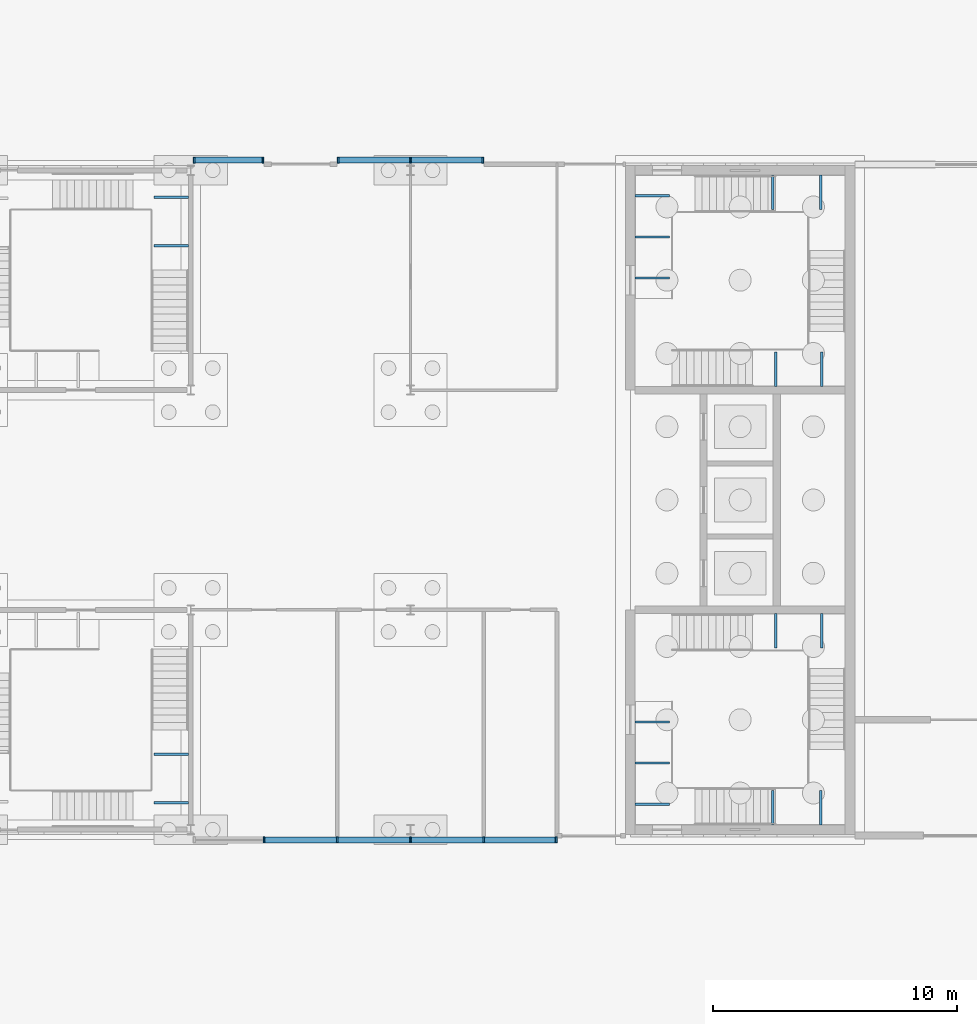
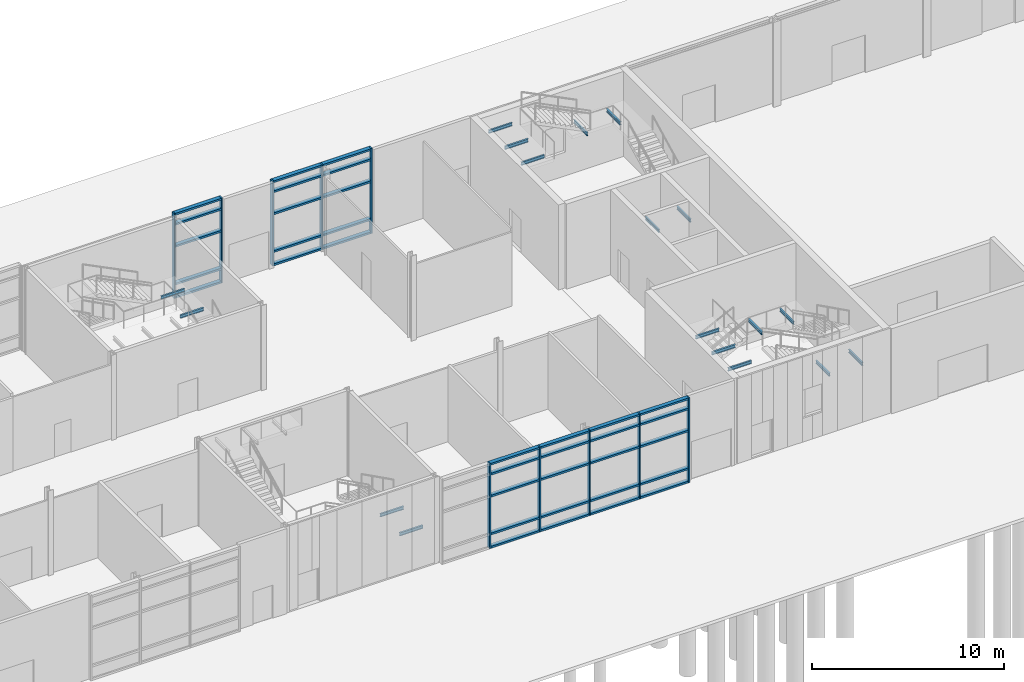
# One storey, part 14 of 45: 45 members, 18 beams, 3 elements without a shape of their own.
"""IFC4 building model written with IfcOpenShell, lengths in metres."""

from ifc_helpers import new_model, si_unit, direction, frame, origin, origin_2d, place, context, subcontext, project, spatial, rectangle, i_section, extrude, material, material_profile, profile_set, type_object, element, aggregate, save


model = new_model("IFC4")

# Units and contexts
model_context = context("Model", 3, precision=1e-05, world=origin(), true_north=direction((0.0, 1.0)))
body_context = subcontext(model_context, "Body", "Model", "MODEL_VIEW")
ifc_project = project(units=[si_unit("LENGTHUNIT", "METRE"), si_unit("AREAUNIT", "SQUARE_METRE"), si_unit("VOLUMEUNIT", "CUBIC_METRE"), si_unit("PLANEANGLEUNIT", "RADIAN"), si_unit("MASSUNIT", "GRAM", prefix="KILO")], contexts=[model_context])

# Site, building, storey
site_placement = place(None, origin())
site = spatial("IfcSite", under=ifc_project, at=site_placement, CompositionType="ELEMENT")
building_placement = place(site_placement, origin())
building = spatial("IfcBuilding", under=site, at=building_placement, Name="Azimuth Sports and Learning Centre", CompositionType="ELEMENT")
storey_placement = place(building_placement, origin())
storey = spatial("IfcBuildingStorey", under=building, at=storey_placement, Name="L00", CompositionType="ELEMENT", Elevation=0.0)

# Beams
ifc_material_1 = material(Name="Steel S355", Category="steel")
ifc_material_profile_1 = material_profile(ifc_material_1, i_section(OverallWidth=0.10009765625, OverallDepth=0.199951171875, WebThickness=0.005615234375, FlangeThickness=0.008544921875, FilletRadius=0.011962890625, at=origin_2d()), Name="IPE 200")
ifc_profile_set_1 = profile_set([ifc_material_profile_1], Name="Steel S355")
beam_type = type_object("IfcBeamType", Name="Beam IPE 200", PredefinedType="BEAM", material=ifc_profile_set_1)
for number, where, z_axis, x_axis, name in (
    (1, (59.95458984375, 98.85009765625, 1.5), (0.0, -1.0, 0.0), (1.0, 0.0, 0.0), "Landing bracket W1 L00 1"),
    (2, (61.8447265625, 98.85009765625, 1.5), (0.0, -1.0, 0.0), (1.0, 0.0, 0.0), "Landing bracket W1 L00 2"),
    (3, (59.827392578125, 90.199951171875, 3.300048828125), (0.0, 1.0, 0.0), (-1.0, 0.0, 0.0), "Landing bracket W1 L00 3"),
    (4, (61.802490234375, 90.199951171875, 3.300048828125), (0.0, 1.0, 0.0), (-1.0, 0.0, 0.0), "Landing bracket W1 L00 4"),
    (5, (54.199951171875, 91.050048828125, 5.10009765625), (1.0, 0.0, 0.0), (0.0, 1.0, 0.0), "Landing bracket W1 L00 5"),
    (6, (54.199951171875, 92.72998046875, 5.10009765625), (1.0, 0.0, 0.0), (0.0, 1.0, 0.0), "Landing bracket W1 L00 6"),
    (7, (54.199951171875, 94.409912109375, 5.10009765625), (1.0, 0.0, 0.0), (0.0, 1.0, 0.0), "Landing bracket W1 L00 7"),
    (8, (59.95458984375, 108.14990234375, 1.5), (0.0, 1.0, 0.0), (-1.0, 0.0, 0.0), "Landing bracket W2 L00 179"),
    (9, (61.8447265625, 108.14990234375, 1.5), (0.0, 1.0, 0.0), (-1.0, 0.0, 0.0), "Landing bracket W2 L00 180"),
    (10, (59.827392578125, 116.800048828125, 3.300048828125), (0.0, -1.0, 0.0), (1.0, 0.0, 0.0), "Landing bracket W2 L00 181"),
    (11, (61.802490234375, 116.800048828125, 3.300048828125), (0.0, -1.0, 0.0), (1.0, 0.0, 0.0), "Landing bracket W2 L00 182"),
    (12, (54.199951171875, 112.590087890625, 5.10009765625), (1.0, 0.0, 0.0), (0.0, 1.0, 0.0), "Landing bracket W2 L00 183"),
    (13, (54.199951171875, 114.27001953125, 5.10009765625), (1.0, 0.0, 0.0), (0.0, 1.0, 0.0), "Landing bracket W2 L00 184"),
    (14, (54.199951171875, 115.949951171875, 5.10009765625), (1.0, 0.0, 0.0), (0.0, 1.0, 0.0), "Landing bracket W2 L00 185"),
):
    element("IfcBeam", number, at=place(storey_placement, frame(where, z_axis=z_axis, x_axis=x_axis)), inside=storey, type_object=beam_type, Name=name, PredefinedType="BEAM", context=body_context, shape_type="SweptSolid", body=[
        extrude(i_section(OverallWidth=0.10009765625, OverallDepth=0.199951171875, WebThickness=0.005615234375, FlangeThickness=0.008544921875, FilletRadius=0.011962890625, at=origin_2d()), origin(), (0.0, 0.0, 1.0), 1.41015625),
    ])
for number, where, z_axis, x_axis, name in (
    (15, (35.89990234375, 91.105224609375, 1.5), (-1.0, 0.0, 0.0), (0.0, -1.0, 0.0), "Landing bracket WM1 L00 849"),
    (16, (35.89990234375, 93.095458984375, 1.5), (-1.0, 0.0, 0.0), (0.0, -1.0, 0.0), "Landing bracket WM1 L00 850"),
    (17, (35.89990234375, 113.904541015625, 1.5), (-1.0, 0.0, 0.0), (0.0, -1.0, 0.0), "Landing bracket WM2 L00 883"),
    (18, (35.89990234375, 115.894775390625, 1.5), (-1.0, 0.0, 0.0), (0.0, -1.0, 0.0), "Landing bracket WM2 L00 884"),
):
    element("IfcBeam", number, at=place(storey_placement, frame(where, z_axis=z_axis, x_axis=x_axis)), inside=storey, type_object=beam_type, Name=name, PredefinedType="BEAM", context=body_context, shape_type="SweptSolid", body=[
        extrude(i_section(OverallWidth=0.10009765625, OverallDepth=0.199951171875, WebThickness=0.005615234375, FlangeThickness=0.008544921875, FilletRadius=0.011962890625, at=origin_2d()), origin(), (0.0, 0.0, 1.0), 1.409912109375),
    ])

# Curtain wall, members
ifc_material_2 = material(Name="Aluminium and glass", Category="aluminium")
curtain_wall_type = type_object("IfcCurtainWallType", Name="Curtain wall podium wing 240", PredefinedType="NOTDEFINED", material=ifc_material_2)
curtain_wall_1_placement = place(storey_placement, origin())
curtain_wall_1 = element("IfcCurtainWall", 19, at=curtain_wall_1_placement, inside=storey, type_object=curtain_wall_type, Name="Curtain wall CW00-002", PredefinedType="NOTDEFINED")
ifc_material_3 = material(Name="Aluminium", Category="aluminium")
ifc_material_profile_2 = material_profile(ifc_material_3, rectangle(XDim=0.239990234375, YDim=0.080078125, at=origin_2d()), Name="Mullion 80x240")
ifc_profile_set_2 = profile_set([ifc_material_profile_2], Name="Aluminium")
member_type_1 = type_object("IfcMemberType", Name="Mullion 80x240", PredefinedType="MULLION", material=ifc_profile_set_2)
member_1_placement = place(storey_placement, frame((39.0, 89.580078125, 0.0), z_axis=(0.0, 0.0, 1.0), x_axis=(0.0, 1.0, 0.0)))
member_1 = element("IfcMember", 20, at=member_1_placement, type_object=member_type_1, Name="CW00-002 mullion 2", PredefinedType="MULLION", context=body_context, shape_type="SweptSolid", body=[
    extrude(rectangle(XDim=0.239990234375, YDim=0.080078125, at=origin_2d()), origin(), (0.0, 0.0, 1.0), 5.39990234375),
])
member_2_placement = place(storey_placement, frame((42.0, 89.580078125, 0.0), z_axis=(0.0, 0.0, 1.0), x_axis=(0.0, 1.0, 0.0)))
member_2 = element("IfcMember", 21, at=member_2_placement, type_object=member_type_1, Name="CW00-002 mullion 3", PredefinedType="MULLION", context=body_context, shape_type="SweptSolid", body=[
    extrude(rectangle(XDim=0.239990234375, YDim=0.080078125, at=origin_2d()), origin(), (0.0, 0.0, 1.0), 5.39990234375),
])
member_3_placement = place(storey_placement, frame((45.0, 89.580078125, 0.0), z_axis=(0.0, 0.0, 1.0), x_axis=(0.0, 1.0, 0.0)))
member_3 = element("IfcMember", 22, at=member_3_placement, type_object=member_type_1, Name="CW00-002 mullion 4", PredefinedType="MULLION", context=body_context, shape_type="SweptSolid", body=[
    extrude(rectangle(XDim=0.239990234375, YDim=0.080078125, at=origin_2d()), origin(), (0.0, 0.0, 1.0), 5.39990234375),
])
member_4_placement = place(storey_placement, frame((48.0, 89.580078125, 0.0), z_axis=(0.0, 0.0, 1.0), x_axis=(0.0, 1.0, 0.0)))
member_4 = element("IfcMember", 23, at=member_4_placement, type_object=member_type_1, Name="CW00-002 mullion 5", PredefinedType="MULLION", context=body_context, shape_type="SweptSolid", body=[
    extrude(rectangle(XDim=0.239990234375, YDim=0.080078125, at=origin_2d()), origin(), (0.0, 0.0, 1.0), 5.39990234375),
])
member_5_placement = place(storey_placement, frame((50.9599609375, 89.580078125, 0.0), z_axis=(0.0, 0.0, 1.0), x_axis=(0.0, 1.0, 0.0)))
member_5 = element("IfcMember", 24, at=member_5_placement, type_object=member_type_1, Name="CW00-002 mullion 6", PredefinedType="MULLION", context=body_context, shape_type="SweptSolid", body=[
    extrude(rectangle(XDim=0.239990234375, YDim=0.080078125, at=origin_2d()), origin(), (0.0, 0.0, 1.0), 5.39990234375),
])

curtain_wall_2_placement = place(storey_placement, origin())
curtain_wall_2 = element("IfcCurtainWall", 25, at=curtain_wall_2_placement, inside=storey, type_object=curtain_wall_type, Name="Curtain wall CW00-014", PredefinedType="NOTDEFINED")
member_6_placement = place(storey_placement, frame((47.9599609375, 117.419921875, 0.0), z_axis=(0.0, 0.0, 1.0), x_axis=(0.0, -1.0, 0.0)))
member_6 = element("IfcMember", 26, at=member_6_placement, type_object=member_type_1, Name="CW00-014 mullion 1", PredefinedType="MULLION", context=body_context, shape_type="SweptSolid", body=[
    extrude(rectangle(XDim=0.239990234375, YDim=0.080078125, at=origin_2d()), origin(), (0.0, 0.0, 1.0), 5.39990234375),
])
member_7_placement = place(storey_placement, frame((45.0, 117.419921875, 0.0), z_axis=(0.0, 0.0, 1.0), x_axis=(0.0, -1.0, 0.0)))
member_7 = element("IfcMember", 27, at=member_7_placement, type_object=member_type_1, Name="CW00-014 mullion 2", PredefinedType="MULLION", context=body_context, shape_type="SweptSolid", body=[
    extrude(rectangle(XDim=0.239990234375, YDim=0.080078125, at=origin_2d()), origin(), (0.0, 0.0, 1.0), 5.39990234375),
])
member_8_placement = place(storey_placement, frame((42.0400390625, 117.419921875, 0.0), z_axis=(0.0, 0.0, 1.0), x_axis=(0.0, -1.0, 0.0)))
member_8 = element("IfcMember", 28, at=member_8_placement, type_object=member_type_1, Name="CW00-014 mullion 3", PredefinedType="MULLION", context=body_context, shape_type="SweptSolid", body=[
    extrude(rectangle(XDim=0.239990234375, YDim=0.080078125, at=origin_2d()), origin(), (0.0, 0.0, 1.0), 5.39990234375),
])

curtain_wall_3_placement = place(storey_placement, origin())
curtain_wall_3 = element("IfcCurtainWall", 29, at=curtain_wall_3_placement, inside=storey, type_object=curtain_wall_type, Name="Curtain wall CW00-015", PredefinedType="NOTDEFINED")
member_9_placement = place(storey_placement, frame((38.9599609375, 117.419921875, 0.0), z_axis=(0.0, 0.0, 1.0), x_axis=(0.0, -1.0, 0.0)))
member_9 = element("IfcMember", 30, at=member_9_placement, type_object=member_type_1, Name="CW00-015 mullion 1", PredefinedType="MULLION", context=body_context, shape_type="SweptSolid", body=[
    extrude(rectangle(XDim=0.239990234375, YDim=0.080078125, at=origin_2d()), origin(), (0.0, 0.0, 1.0), 5.39990234375),
])
member_10_placement = place(storey_placement, frame((36.139892578125, 117.419921875, 0.0), z_axis=(0.0, 0.0, 1.0), x_axis=(0.0, -1.0, 0.0)))
member_10 = element("IfcMember", 31, at=member_10_placement, type_object=member_type_1, Name="CW00-015 mullion 2", PredefinedType="MULLION", context=body_context, shape_type="SweptSolid", body=[
    extrude(rectangle(XDim=0.239990234375, YDim=0.080078125, at=origin_2d()), origin(), (0.0, 0.0, 1.0), 5.39990234375),
])

# Member
ifc_material_4 = material(Name="Aluminium", Category="aluminium")
ifc_material_profile_3 = material_profile(ifc_material_4, rectangle(XDim=0.239990234375, YDim=0.1201171875, at=origin_2d()), Name="Transom 120x240")
ifc_profile_set_3 = profile_set([ifc_material_profile_3], Name="Aluminium")
member_type_2 = type_object("IfcMemberType", Name="Transom 120x240", PredefinedType="USERDEFINED", material=ifc_profile_set_3)
member_11_placement = place(storey_placement, frame((39.0400390625, 89.580078125, 0.06005859375), z_axis=(1.0, 0.0, 0.0), x_axis=(0.0, 1.0, 0.0)))
member_11 = element("IfcMember", 32, at=member_11_placement, type_object=member_type_2, Name="CW00-002 transom 2.1", ObjectType="TRANSOM", PredefinedType="USERDEFINED", context=body_context, shape_type="SweptSolid", body=[
    extrude(rectangle(XDim=0.239990234375, YDim=0.1201171875, at=origin_2d()), origin(), (0.0, 0.0, 1.0), 2.919921875),
])

member_12_placement = place(storey_placement, frame((39.0400390625, 89.580078125, 0.89990234375), z_axis=(1.0, 0.0, 0.0), x_axis=(0.0, 1.0, 0.0)))
member_12 = element("IfcMember", 33, at=member_12_placement, type_object=member_type_2, Name="CW00-002 transom 2.2", ObjectType="TRANSOM", PredefinedType="USERDEFINED", context=body_context, shape_type="SweptSolid", body=[
    extrude(rectangle(XDim=0.239990234375, YDim=0.1201171875, at=origin_2d()), origin(), (0.0, 0.0, 1.0), 2.919921875),
])

member_13_placement = place(storey_placement, frame((39.0400390625, 89.580078125, 3.300048828125), z_axis=(1.0, 0.0, 0.0), x_axis=(0.0, 1.0, 0.0)))
member_13 = element("IfcMember", 34, at=member_13_placement, type_object=member_type_2, Name="CW00-002 transom 2.3", ObjectType="TRANSOM", PredefinedType="USERDEFINED", context=body_context, shape_type="SweptSolid", body=[
    extrude(rectangle(XDim=0.239990234375, YDim=0.1201171875, at=origin_2d()), origin(), (0.0, 0.0, 1.0), 2.919921875),
])

member_14_placement = place(storey_placement, frame((39.0400390625, 89.580078125, 4.699951171875), z_axis=(1.0, 0.0, 0.0), x_axis=(0.0, 1.0, 0.0)))
member_14 = element("IfcMember", 35, at=member_14_placement, type_object=member_type_2, Name="CW00-002 transom 2.4", ObjectType="TRANSOM", PredefinedType="USERDEFINED", context=body_context, shape_type="SweptSolid", body=[
    extrude(rectangle(XDim=0.239990234375, YDim=0.1201171875, at=origin_2d()), origin(), (0.0, 0.0, 1.0), 2.919921875),
])

member_15_placement = place(storey_placement, frame((39.0400390625, 89.580078125, 5.340087890625), z_axis=(1.0, 0.0, 0.0), x_axis=(0.0, 1.0, 0.0)))
member_15 = element("IfcMember", 36, at=member_15_placement, type_object=member_type_2, Name="CW00-002 transom 2.5", ObjectType="TRANSOM", PredefinedType="USERDEFINED", context=body_context, shape_type="SweptSolid", body=[
    extrude(rectangle(XDim=0.239990234375, YDim=0.1201171875, at=origin_2d()), origin(), (0.0, 0.0, 1.0), 2.919921875),
])

member_16_placement = place(storey_placement, frame((42.0400390625, 89.580078125, 0.06005859375), z_axis=(1.0, 0.0, 0.0), x_axis=(0.0, 1.0, 0.0)))
member_16 = element("IfcMember", 37, at=member_16_placement, type_object=member_type_2, Name="CW00-002 transom 3.1", ObjectType="TRANSOM", PredefinedType="USERDEFINED", context=body_context, shape_type="SweptSolid", body=[
    extrude(rectangle(XDim=0.239990234375, YDim=0.1201171875, at=origin_2d()), origin(), (0.0, 0.0, 1.0), 2.919921875),
])

member_17_placement = place(storey_placement, frame((42.0400390625, 89.580078125, 0.89990234375), z_axis=(1.0, 0.0, 0.0), x_axis=(0.0, 1.0, 0.0)))
member_17 = element("IfcMember", 38, at=member_17_placement, type_object=member_type_2, Name="CW00-002 transom 3.2", ObjectType="TRANSOM", PredefinedType="USERDEFINED", context=body_context, shape_type="SweptSolid", body=[
    extrude(rectangle(XDim=0.239990234375, YDim=0.1201171875, at=origin_2d()), origin(), (0.0, 0.0, 1.0), 2.919921875),
])

member_18_placement = place(storey_placement, frame((42.0400390625, 89.580078125, 3.300048828125), z_axis=(1.0, 0.0, 0.0), x_axis=(0.0, 1.0, 0.0)))
member_18 = element("IfcMember", 39, at=member_18_placement, type_object=member_type_2, Name="CW00-002 transom 3.3", ObjectType="TRANSOM", PredefinedType="USERDEFINED", context=body_context, shape_type="SweptSolid", body=[
    extrude(rectangle(XDim=0.239990234375, YDim=0.1201171875, at=origin_2d()), origin(), (0.0, 0.0, 1.0), 2.919921875),
])

member_19_placement = place(storey_placement, frame((42.0400390625, 89.580078125, 4.699951171875), z_axis=(1.0, 0.0, 0.0), x_axis=(0.0, 1.0, 0.0)))
member_19 = element("IfcMember", 40, at=member_19_placement, type_object=member_type_2, Name="CW00-002 transom 3.4", ObjectType="TRANSOM", PredefinedType="USERDEFINED", context=body_context, shape_type="SweptSolid", body=[
    extrude(rectangle(XDim=0.239990234375, YDim=0.1201171875, at=origin_2d()), origin(), (0.0, 0.0, 1.0), 2.919921875),
])

member_20_placement = place(storey_placement, frame((42.0400390625, 89.580078125, 5.340087890625), z_axis=(1.0, 0.0, 0.0), x_axis=(0.0, 1.0, 0.0)))
member_20 = element("IfcMember", 41, at=member_20_placement, type_object=member_type_2, Name="CW00-002 transom 3.5", ObjectType="TRANSOM", PredefinedType="USERDEFINED", context=body_context, shape_type="SweptSolid", body=[
    extrude(rectangle(XDim=0.239990234375, YDim=0.1201171875, at=origin_2d()), origin(), (0.0, 0.0, 1.0), 2.919921875),
])

member_21_placement = place(storey_placement, frame((45.0400390625, 89.580078125, 0.06005859375), z_axis=(1.0, 0.0, 0.0), x_axis=(0.0, 1.0, 0.0)))
member_21 = element("IfcMember", 42, at=member_21_placement, type_object=member_type_2, Name="CW00-002 transom 4.1", ObjectType="TRANSOM", PredefinedType="USERDEFINED", context=body_context, shape_type="SweptSolid", body=[
    extrude(rectangle(XDim=0.239990234375, YDim=0.1201171875, at=origin_2d()), origin(), (0.0, 0.0, 1.0), 2.919921875),
])

member_22_placement = place(storey_placement, frame((45.0400390625, 89.580078125, 0.89990234375), z_axis=(1.0, 0.0, 0.0), x_axis=(0.0, 1.0, 0.0)))
member_22 = element("IfcMember", 43, at=member_22_placement, type_object=member_type_2, Name="CW00-002 transom 4.2", ObjectType="TRANSOM", PredefinedType="USERDEFINED", context=body_context, shape_type="SweptSolid", body=[
    extrude(rectangle(XDim=0.239990234375, YDim=0.1201171875, at=origin_2d()), origin(), (0.0, 0.0, 1.0), 2.919921875),
])

member_23_placement = place(storey_placement, frame((45.0400390625, 89.580078125, 3.300048828125), z_axis=(1.0, 0.0, 0.0), x_axis=(0.0, 1.0, 0.0)))
member_23 = element("IfcMember", 44, at=member_23_placement, type_object=member_type_2, Name="CW00-002 transom 4.3", ObjectType="TRANSOM", PredefinedType="USERDEFINED", context=body_context, shape_type="SweptSolid", body=[
    extrude(rectangle(XDim=0.239990234375, YDim=0.1201171875, at=origin_2d()), origin(), (0.0, 0.0, 1.0), 2.919921875),
])

member_24_placement = place(storey_placement, frame((45.0400390625, 89.580078125, 4.699951171875), z_axis=(1.0, 0.0, 0.0), x_axis=(0.0, 1.0, 0.0)))
member_24 = element("IfcMember", 45, at=member_24_placement, type_object=member_type_2, Name="CW00-002 transom 4.4", ObjectType="TRANSOM", PredefinedType="USERDEFINED", context=body_context, shape_type="SweptSolid", body=[
    extrude(rectangle(XDim=0.239990234375, YDim=0.1201171875, at=origin_2d()), origin(), (0.0, 0.0, 1.0), 2.919921875),
])

member_25_placement = place(storey_placement, frame((45.0400390625, 89.580078125, 5.340087890625), z_axis=(1.0, 0.0, 0.0), x_axis=(0.0, 1.0, 0.0)))
member_25 = element("IfcMember", 46, at=member_25_placement, type_object=member_type_2, Name="CW00-002 transom 4.5", ObjectType="TRANSOM", PredefinedType="USERDEFINED", context=body_context, shape_type="SweptSolid", body=[
    extrude(rectangle(XDim=0.239990234375, YDim=0.1201171875, at=origin_2d()), origin(), (0.0, 0.0, 1.0), 2.919921875),
])

member_26_placement = place(storey_placement, frame((48.0400390625, 89.580078125, 0.06005859375), z_axis=(1.0, 0.0, 0.0), x_axis=(0.0, 1.0, 0.0)))
member_26 = element("IfcMember", 47, at=member_26_placement, type_object=member_type_2, Name="CW00-002 transom 5.1", ObjectType="TRANSOM", PredefinedType="USERDEFINED", context=body_context, shape_type="SweptSolid", body=[
    extrude(rectangle(XDim=0.239990234375, YDim=0.1201171875, at=origin_2d()), origin(), (0.0, 0.0, 1.0), 2.8798828125),
])

member_27_placement = place(storey_placement, frame((48.0400390625, 89.580078125, 0.89990234375), z_axis=(1.0, 0.0, 0.0), x_axis=(0.0, 1.0, 0.0)))
member_27 = element("IfcMember", 48, at=member_27_placement, type_object=member_type_2, Name="CW00-002 transom 5.2", ObjectType="TRANSOM", PredefinedType="USERDEFINED", context=body_context, shape_type="SweptSolid", body=[
    extrude(rectangle(XDim=0.239990234375, YDim=0.1201171875, at=origin_2d()), origin(), (0.0, 0.0, 1.0), 2.8798828125),
])

member_28_placement = place(storey_placement, frame((48.0400390625, 89.580078125, 3.300048828125), z_axis=(1.0, 0.0, 0.0), x_axis=(0.0, 1.0, 0.0)))
member_28 = element("IfcMember", 49, at=member_28_placement, type_object=member_type_2, Name="CW00-002 transom 5.3", ObjectType="TRANSOM", PredefinedType="USERDEFINED", context=body_context, shape_type="SweptSolid", body=[
    extrude(rectangle(XDim=0.239990234375, YDim=0.1201171875, at=origin_2d()), origin(), (0.0, 0.0, 1.0), 2.8798828125),
])

member_29_placement = place(storey_placement, frame((48.0400390625, 89.580078125, 4.699951171875), z_axis=(1.0, 0.0, 0.0), x_axis=(0.0, 1.0, 0.0)))
member_29 = element("IfcMember", 50, at=member_29_placement, type_object=member_type_2, Name="CW00-002 transom 5.4", ObjectType="TRANSOM", PredefinedType="USERDEFINED", context=body_context, shape_type="SweptSolid", body=[
    extrude(rectangle(XDim=0.239990234375, YDim=0.1201171875, at=origin_2d()), origin(), (0.0, 0.0, 1.0), 2.8798828125),
])

member_30_placement = place(storey_placement, frame((48.0400390625, 89.580078125, 5.340087890625), z_axis=(1.0, 0.0, 0.0), x_axis=(0.0, 1.0, 0.0)))
member_30 = element("IfcMember", 51, at=member_30_placement, type_object=member_type_2, Name="CW00-002 transom 5.5", ObjectType="TRANSOM", PredefinedType="USERDEFINED", context=body_context, shape_type="SweptSolid", body=[
    extrude(rectangle(XDim=0.239990234375, YDim=0.1201171875, at=origin_2d()), origin(), (0.0, 0.0, 1.0), 2.8798828125),
])

aggregate(curtain_wall_1, [member_1, member_2, member_3, member_4, member_5, member_11, member_12, member_13, member_14, member_15, member_16, member_17, member_18, member_19, member_20, member_21, member_22, member_23, member_24, member_25, member_26, member_27, member_28, member_29, member_30])

member_31_placement = place(storey_placement, frame((47.919921875, 117.419921875, 0.06005859375), z_axis=(-1.0, 0.0, 0.0), x_axis=(0.0, -1.0, 0.0)))
member_31 = element("IfcMember", 52, at=member_31_placement, type_object=member_type_2, Name="CW00-014 transom 1.1", ObjectType="TRANSOM", PredefinedType="USERDEFINED", context=body_context, shape_type="SweptSolid", body=[
    extrude(rectangle(XDim=0.239990234375, YDim=0.1201171875, at=origin_2d()), origin(), (0.0, 0.0, 1.0), 2.8798828125),
])

member_32_placement = place(storey_placement, frame((47.919921875, 117.419921875, 0.89990234375), z_axis=(-1.0, 0.0, 0.0), x_axis=(0.0, -1.0, 0.0)))
member_32 = element("IfcMember", 53, at=member_32_placement, type_object=member_type_2, Name="CW00-014 transom 1.2", ObjectType="TRANSOM", PredefinedType="USERDEFINED", context=body_context, shape_type="SweptSolid", body=[
    extrude(rectangle(XDim=0.239990234375, YDim=0.1201171875, at=origin_2d()), origin(), (0.0, 0.0, 1.0), 2.8798828125),
])

member_33_placement = place(storey_placement, frame((47.919921875, 117.419921875, 3.300048828125), z_axis=(-1.0, 0.0, 0.0), x_axis=(0.0, -1.0, 0.0)))
member_33 = element("IfcMember", 54, at=member_33_placement, type_object=member_type_2, Name="CW00-014 transom 1.3", ObjectType="TRANSOM", PredefinedType="USERDEFINED", context=body_context, shape_type="SweptSolid", body=[
    extrude(rectangle(XDim=0.239990234375, YDim=0.1201171875, at=origin_2d()), origin(), (0.0, 0.0, 1.0), 2.8798828125),
])

member_34_placement = place(storey_placement, frame((47.919921875, 117.419921875, 4.699951171875), z_axis=(-1.0, 0.0, 0.0), x_axis=(0.0, -1.0, 0.0)))
member_34 = element("IfcMember", 55, at=member_34_placement, type_object=member_type_2, Name="CW00-014 transom 1.4", ObjectType="TRANSOM", PredefinedType="USERDEFINED", context=body_context, shape_type="SweptSolid", body=[
    extrude(rectangle(XDim=0.239990234375, YDim=0.1201171875, at=origin_2d()), origin(), (0.0, 0.0, 1.0), 2.8798828125),
])

member_35_placement = place(storey_placement, frame((47.919921875, 117.419921875, 5.340087890625), z_axis=(-1.0, 0.0, 0.0), x_axis=(0.0, -1.0, 0.0)))
member_35 = element("IfcMember", 56, at=member_35_placement, type_object=member_type_2, Name="CW00-014 transom 1.5", ObjectType="TRANSOM", PredefinedType="USERDEFINED", context=body_context, shape_type="SweptSolid", body=[
    extrude(rectangle(XDim=0.239990234375, YDim=0.1201171875, at=origin_2d()), origin(), (0.0, 0.0, 1.0), 2.8798828125),
])

member_36_placement = place(storey_placement, frame((44.9599609375, 117.419921875, 0.06005859375), z_axis=(-1.0, 0.0, 0.0), x_axis=(0.0, -1.0, 0.0)))
member_36 = element("IfcMember", 57, at=member_36_placement, type_object=member_type_2, Name="CW00-014 transom 2.1", ObjectType="TRANSOM", PredefinedType="USERDEFINED", context=body_context, shape_type="SweptSolid", body=[
    extrude(rectangle(XDim=0.239990234375, YDim=0.1201171875, at=origin_2d()), origin(), (0.0, 0.0, 1.0), 2.8798828125),
])

member_37_placement = place(storey_placement, frame((44.9599609375, 117.419921875, 0.89990234375), z_axis=(-1.0, 0.0, 0.0), x_axis=(0.0, -1.0, 0.0)))
member_37 = element("IfcMember", 58, at=member_37_placement, type_object=member_type_2, Name="CW00-014 transom 2.2", ObjectType="TRANSOM", PredefinedType="USERDEFINED", context=body_context, shape_type="SweptSolid", body=[
    extrude(rectangle(XDim=0.239990234375, YDim=0.1201171875, at=origin_2d()), origin(), (0.0, 0.0, 1.0), 2.8798828125),
])

member_38_placement = place(storey_placement, frame((44.9599609375, 117.419921875, 3.300048828125), z_axis=(-1.0, 0.0, 0.0), x_axis=(0.0, -1.0, 0.0)))
member_38 = element("IfcMember", 59, at=member_38_placement, type_object=member_type_2, Name="CW00-014 transom 2.3", ObjectType="TRANSOM", PredefinedType="USERDEFINED", context=body_context, shape_type="SweptSolid", body=[
    extrude(rectangle(XDim=0.239990234375, YDim=0.1201171875, at=origin_2d()), origin(), (0.0, 0.0, 1.0), 2.8798828125),
])

member_39_placement = place(storey_placement, frame((44.9599609375, 117.419921875, 4.699951171875), z_axis=(-1.0, 0.0, 0.0), x_axis=(0.0, -1.0, 0.0)))
member_39 = element("IfcMember", 60, at=member_39_placement, type_object=member_type_2, Name="CW00-014 transom 2.4", ObjectType="TRANSOM", PredefinedType="USERDEFINED", context=body_context, shape_type="SweptSolid", body=[
    extrude(rectangle(XDim=0.239990234375, YDim=0.1201171875, at=origin_2d()), origin(), (0.0, 0.0, 1.0), 2.8798828125),
])

member_40_placement = place(storey_placement, frame((44.9599609375, 117.419921875, 5.340087890625), z_axis=(-1.0, 0.0, 0.0), x_axis=(0.0, -1.0, 0.0)))
member_40 = element("IfcMember", 61, at=member_40_placement, type_object=member_type_2, Name="CW00-014 transom 2.5", ObjectType="TRANSOM", PredefinedType="USERDEFINED", context=body_context, shape_type="SweptSolid", body=[
    extrude(rectangle(XDim=0.239990234375, YDim=0.1201171875, at=origin_2d()), origin(), (0.0, 0.0, 1.0), 2.8798828125),
])

aggregate(curtain_wall_2, [member_6, member_7, member_8, member_31, member_32, member_33, member_34, member_35, member_36, member_37, member_38, member_39, member_40])

member_41_placement = place(storey_placement, frame((38.919921875, 117.419921875, 0.06005859375), z_axis=(-1.0, 0.0, 0.0), x_axis=(0.0, -1.0, 0.0)))
member_41 = element("IfcMember", 62, at=member_41_placement, type_object=member_type_2, Name="CW00-015 transom 1.1", ObjectType="TRANSOM", PredefinedType="USERDEFINED", context=body_context, shape_type="SweptSolid", body=[
    extrude(rectangle(XDim=0.239990234375, YDim=0.1201171875, at=origin_2d()), origin(), (0.0, 0.0, 1.0), 2.739990234375),
])

member_42_placement = place(storey_placement, frame((38.919921875, 117.419921875, 0.89990234375), z_axis=(-1.0, 0.0, 0.0), x_axis=(0.0, -1.0, 0.0)))
member_42 = element("IfcMember", 63, at=member_42_placement, type_object=member_type_2, Name="CW00-015 transom 1.2", ObjectType="TRANSOM", PredefinedType="USERDEFINED", context=body_context, shape_type="SweptSolid", body=[
    extrude(rectangle(XDim=0.239990234375, YDim=0.1201171875, at=origin_2d()), origin(), (0.0, 0.0, 1.0), 2.739990234375),
])

member_43_placement = place(storey_placement, frame((38.919921875, 117.419921875, 3.300048828125), z_axis=(-1.0, 0.0, 0.0), x_axis=(0.0, -1.0, 0.0)))
member_43 = element("IfcMember", 64, at=member_43_placement, type_object=member_type_2, Name="CW00-015 transom 1.3", ObjectType="TRANSOM", PredefinedType="USERDEFINED", context=body_context, shape_type="SweptSolid", body=[
    extrude(rectangle(XDim=0.239990234375, YDim=0.1201171875, at=origin_2d()), origin(), (0.0, 0.0, 1.0), 2.739990234375),
])

member_44_placement = place(storey_placement, frame((38.919921875, 117.419921875, 4.699951171875), z_axis=(-1.0, 0.0, 0.0), x_axis=(0.0, -1.0, 0.0)))
member_44 = element("IfcMember", 65, at=member_44_placement, type_object=member_type_2, Name="CW00-015 transom 1.4", ObjectType="TRANSOM", PredefinedType="USERDEFINED", context=body_context, shape_type="SweptSolid", body=[
    extrude(rectangle(XDim=0.239990234375, YDim=0.1201171875, at=origin_2d()), origin(), (0.0, 0.0, 1.0), 2.739990234375),
])

member_45_placement = place(storey_placement, frame((38.919921875, 117.419921875, 5.340087890625), z_axis=(-1.0, 0.0, 0.0), x_axis=(0.0, -1.0, 0.0)))
member_45 = element("IfcMember", 66, at=member_45_placement, type_object=member_type_2, Name="CW00-015 transom 1.5", ObjectType="TRANSOM", PredefinedType="USERDEFINED", context=body_context, shape_type="SweptSolid", body=[
    extrude(rectangle(XDim=0.239990234375, YDim=0.1201171875, at=origin_2d()), origin(), (0.0, 0.0, 1.0), 2.739990234375),
])

aggregate(curtain_wall_3, [member_9, member_10, member_41, member_42, member_43, member_44, member_45])

save(model, "model.ifc")
